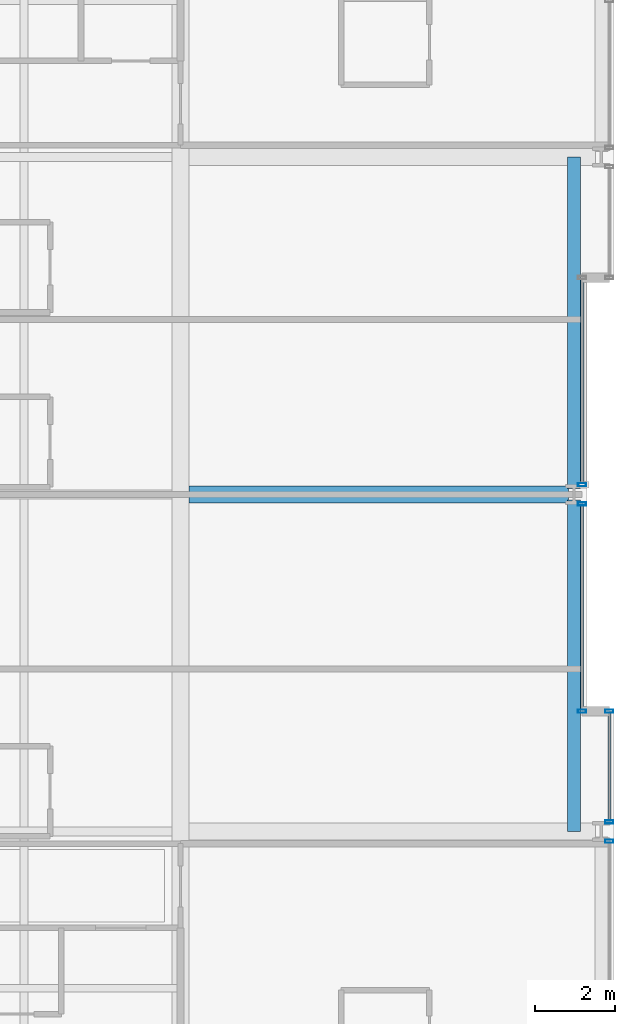
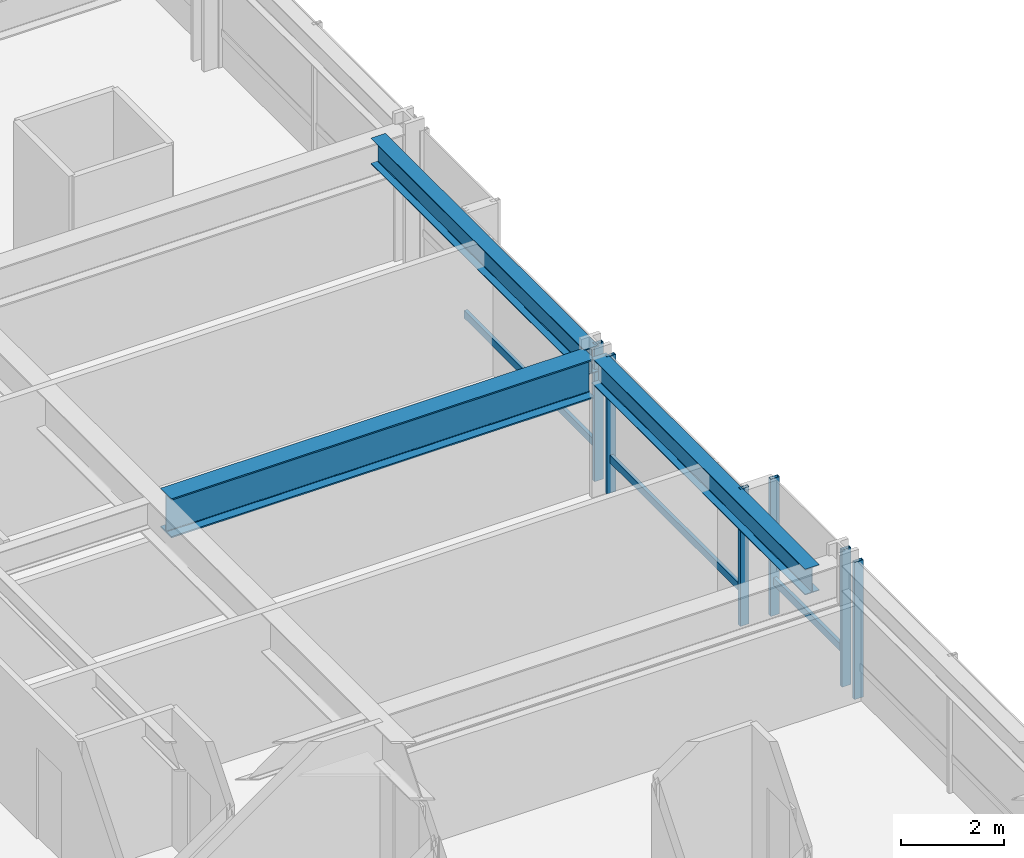
# One storey, part 16 of 39: 9 members, 3 beams, 4 elements without a shape of their own.
"""IFC4 building model written with IfcOpenShell, lengths in metres."""

from ifc_helpers import new_model, si_unit, direction, frame, origin, origin_2d, place, context, subcontext, project, spatial, hollow_rectangle, i_section, extrude, material, layer, layer_set, material_profile, profile_set, type_object, element, aggregate, save


model = new_model("IFC4")

# Units and contexts
model_context = context("Model", 3, precision=1e-05, world=origin(), true_north=direction((0.0, 1.0)))
body_context = subcontext(model_context, "Body", "Model", "MODEL_VIEW")
ifc_project = project(units=[si_unit("LENGTHUNIT", "METRE"), si_unit("AREAUNIT", "SQUARE_METRE"), si_unit("VOLUMEUNIT", "CUBIC_METRE"), si_unit("PLANEANGLEUNIT", "RADIAN"), si_unit("MASSUNIT", "GRAM", prefix="KILO")], contexts=[model_context])

# Site, building, storey
site_placement = place(None, origin())
site = spatial("IfcSite", under=ifc_project, at=site_placement, CompositionType="ELEMENT")
building_placement = place(site_placement, origin())
building = spatial("IfcBuilding", under=site, at=building_placement, Name="Drelvath Grand Hotel", CompositionType="ELEMENT")
storey_placement = place(building_placement, frame((0.0, 0.0, 36.699951171875)))
storey = spatial("IfcBuildingStorey", under=building, at=storey_placement, Name="L07", CompositionType="ELEMENT", Elevation=36.699951171875)

# Curtain wall, member
ifc_material_1 = material(Name="Warm Bronze Anodised Aluminium Frame", Category="aluminium")
ifc_layer = layer(ifc_material_1, 0.199951171875)
ifc_layer_set = layer_set([ifc_layer], Name="Warm Bronze Anodised Aluminium Frame")
curtain_wall_type = type_object("IfcCurtainWallType", Name="Stick Curtain Wall CW-02 Warm Bronze Low-Rise", PredefinedType="NOTDEFINED", material=ifc_layer_set)
curtain_wall_1_placement = place(storey_placement, origin())
curtain_wall_1 = element("IfcCurtainWall", 1, at=curtain_wall_1_placement, inside=storey, type_object=curtain_wall_type, Name="L07 CW-02 Curtain Wall CW02-L07-EM1", PredefinedType="NOTDEFINED")
ifc_material_profile_1 = material_profile(ifc_material_1, hollow_rectangle(XDim=0.074951171875, YDim=0.179931640625, WallThickness=0.0048828125, at=origin_2d()), Name="HSS180X75X5")
ifc_profile_set_1 = profile_set([ifc_material_profile_1], Name="Warm Bronze Anodised Aluminium Frame")
member_type_1 = type_object("IfcMemberType", Name="Curtain Wall Horizontal Transom CW-02 HSS180X75X5", PredefinedType="USERDEFINED", material=ifc_profile_set_1)
member_1_placement = place(storey_placement, frame((26.199951171875, 26.718994140625, 0.81005859375), z_axis=(0.0, -1.0, 0.0), x_axis=(1.0, 0.0, 0.0)))
member_1 = element("IfcMember", 2, at=member_1_placement, type_object=member_type_1, Name="CW02-L07-EM1 Sill Transom", ObjectType="TRANSOM", PredefinedType="USERDEFINED", context=body_context, shape_type="SweptSolid", body=[
    extrude(hollow_rectangle(XDim=0.074951171875, YDim=0.179931640625, WallThickness=0.0048828125, at=origin_2d()), origin(), (0.0, 0.0, 1.0), 5.0791015625),
])

curtain_wall_2_placement = place(storey_placement, origin())
curtain_wall_2 = element("IfcCurtainWall", 3, at=curtain_wall_2_placement, inside=storey, type_object=curtain_wall_type, Name="L07 CW-02 Curtain Wall CW02-L07-EM2", PredefinedType="NOTDEFINED")
member_2_placement = place(storey_placement, frame((26.199951171875, 32.360107421875, 0.81005859375), z_axis=(0.0, -1.0, 0.0), x_axis=(1.0, 0.0, 0.0)))
member_2 = element("IfcMember", 4, at=member_2_placement, type_object=member_type_1, Name="CW02-L07-EM2 Sill Transom", ObjectType="TRANSOM", PredefinedType="USERDEFINED", context=body_context, shape_type="SweptSolid", body=[
    extrude(hollow_rectangle(XDim=0.074951171875, YDim=0.179931640625, WallThickness=0.0048828125, at=origin_2d()), origin(), (0.0, 0.0, 1.0), 5.0791015625),
])

curtain_wall_3_placement = place(storey_placement, origin())
curtain_wall_3 = element("IfcCurtainWall", 5, at=curtain_wall_3_placement, inside=storey, type_object=curtain_wall_type, Name="L07 CW-02 Curtain Wall CW02-L07-ES3", PredefinedType="NOTDEFINED")
member_3_placement = place(storey_placement, frame((26.8798828125, 21.56005859375, 0.81005859375), z_axis=(0.0, -1.0, 0.0), x_axis=(1.0, 0.0, 0.0)))
member_3 = element("IfcMember", 6, at=member_3_placement, type_object=member_type_1, Name="CW02-L07-ES3 Sill Transom", ObjectType="TRANSOM", PredefinedType="USERDEFINED", context=body_context, shape_type="SweptSolid", body=[
    extrude(hollow_rectangle(XDim=0.074951171875, YDim=0.179931640625, WallThickness=0.0048828125, at=origin_2d()), origin(), (0.0, 0.0, 1.0), 2.67919921875),
])

# Member
ifc_material_profile_2 = material_profile(ifc_material_1, hollow_rectangle(XDim=0.080078125, YDim=0.199951171875, WallThickness=0.0048828125, at=origin_2d()), Name="HSS200X80X5")
ifc_profile_set_2 = profile_set([ifc_material_profile_2], Name="Warm Bronze Anodised Aluminium Frame")
member_type_2 = type_object("IfcMemberType", Name="Curtain Wall Vertical Mullion CW-02 HSS200X80X5", PredefinedType="MULLION", material=ifc_profile_set_2)
member_4_placement = place(storey_placement, frame((26.199951171875, 26.759033203125, 0.0), z_axis=(0.0, 0.0, 1.0), x_axis=(0.0, 1.0, 0.0)))
member_4 = element("IfcMember", 7, at=member_4_placement, type_object=member_type_2, Name="CW02-L07-EM1 Mullion 1", PredefinedType="MULLION", context=body_context, shape_type="SweptSolid", body=[
    extrude(hollow_rectangle(XDim=0.080078125, YDim=0.199951171875, WallThickness=0.0048828125, at=origin_2d()), origin(), (0.0, 0.0, 1.0), 3.239990234375),
])

member_5_placement = place(storey_placement, frame((26.199951171875, 21.60009765625, 0.0), z_axis=(0.0, 0.0, 1.0), x_axis=(0.0, 1.0, 0.0)))
member_5 = element("IfcMember", 8, at=member_5_placement, type_object=member_type_2, Name="CW02-L07-EM1 Mullion 2", PredefinedType="MULLION", context=body_context, shape_type="SweptSolid", body=[
    extrude(hollow_rectangle(XDim=0.080078125, YDim=0.199951171875, WallThickness=0.0048828125, at=origin_2d()), origin(), (0.0, 0.0, 1.0), 3.239990234375),
])

aggregate(curtain_wall_1, [member_4, member_5, member_1])

member_6_placement = place(storey_placement, frame((26.199951171875, 27.240966796875, 0.0), z_axis=(0.0, 0.0, 1.0), x_axis=(0.0, 1.0, 0.0)))
member_6 = element("IfcMember", 9, at=member_6_placement, type_object=member_type_2, Name="CW02-L07-EM2 Mullion 2", PredefinedType="MULLION", context=body_context, shape_type="SweptSolid", body=[
    extrude(hollow_rectangle(XDim=0.080078125, YDim=0.199951171875, WallThickness=0.0048828125, at=origin_2d()), origin(), (0.0, 0.0, 1.0), 3.239990234375),
])

aggregate(curtain_wall_2, [member_6, member_2])

# Curtain wall, member
curtain_wall_4_placement = place(storey_placement, origin())
curtain_wall_4 = element("IfcCurtainWall", 10, at=curtain_wall_4_placement, inside=storey, type_object=curtain_wall_type, Name="L07 CW-02 Curtain Wall CW02-L07-ES2", PredefinedType="NOTDEFINED")
member_7_placement = place(storey_placement, frame((26.8798828125, 18.359130859375, 0.0), z_axis=(0.0, 0.0, 1.0), x_axis=(0.0, 1.0, 0.0)))
member_7 = element("IfcMember", 11, at=member_7_placement, type_object=member_type_2, Name="CW02-L07-ES2 Mullion 1", PredefinedType="MULLION", context=body_context, shape_type="SweptSolid", body=[
    extrude(hollow_rectangle(XDim=0.080078125, YDim=0.199951171875, WallThickness=0.0048828125, at=origin_2d()), origin(), (0.0, 0.0, 1.0), 3.239990234375),
])
aggregate(curtain_wall_4, [member_7])

# Member
member_8_placement = place(storey_placement, frame((26.8798828125, 21.60009765625, 0.0), z_axis=(0.0, 0.0, 1.0), x_axis=(0.0, 1.0, 0.0)))
member_8 = element("IfcMember", 12, at=member_8_placement, type_object=member_type_2, Name="CW02-L07-ES3 Mullion 1", PredefinedType="MULLION", context=body_context, shape_type="SweptSolid", body=[
    extrude(hollow_rectangle(XDim=0.080078125, YDim=0.199951171875, WallThickness=0.0048828125, at=origin_2d()), origin(), (0.0, 0.0, 1.0), 3.239990234375),
])

member_9_placement = place(storey_placement, frame((26.8798828125, 18.8408203125, 0.0), z_axis=(0.0, 0.0, 1.0), x_axis=(0.0, 1.0, 0.0)))
member_9 = element("IfcMember", 13, at=member_9_placement, type_object=member_type_2, Name="CW02-L07-ES3 Mullion 2", PredefinedType="MULLION", context=body_context, shape_type="SweptSolid", body=[
    extrude(hollow_rectangle(XDim=0.080078125, YDim=0.199951171875, WallThickness=0.0048828125, at=origin_2d()), origin(), (0.0, 0.0, 1.0), 3.239990234375),
])

aggregate(curtain_wall_3, [member_8, member_9, member_3])

# Beams
ifc_material_2 = material(Name="Steel ASTM A992 Gr 50", Category="steel")
ifc_material_profile_3 = material_profile(ifc_material_2, i_section(OverallWidth=0.323974609375, OverallDepth=0.611083984375, WebThickness=0.0126953125, FlangeThickness=0.01904296875, FilletRadius=0.02197265625, at=origin_2d()), Name="W24X104")
ifc_profile_set_3 = profile_set([ifc_material_profile_3], Name="Steel ASTM A992 Gr 50")
beam_type_1 = type_object("IfcBeamType", Name="Perimeter Spandrel Beam W24X104", PredefinedType="SPANDREL", material=ifc_profile_set_3)
for number, where, z_axis, x_axis, name in (
    (14, (26.0, 18.60009765625, 2.9345703125), (0.0, 1.0, 0.0), (-1.0, 0.0, 0.0), "L07 Spandrel East Mid S"),
    (15, (26.0, 27.139892578125, 2.9345703125), (0.0, 1.0, 0.0), (-1.0, 0.0, 0.0), "L07 Spandrel East Mid N"),
):
    element("IfcBeam", number, at=place(storey_placement, frame(where, z_axis=z_axis, x_axis=x_axis)), inside=storey, type_object=beam_type_1, Name=name, PredefinedType="SPANDREL", context=body_context, shape_type="SweptSolid", body=[
        extrude(i_section(OverallWidth=0.323974609375, OverallDepth=0.611083984375, WebThickness=0.0126953125, FlangeThickness=0.01904296875, FilletRadius=0.02197265625, at=origin_2d()), origin(), (0.0, 0.0, 1.0), 8.260009765625),
    ])
ifc_material_profile_4 = material_profile(ifc_material_2, i_section(OverallWidth=0.418212890625, OverallDepth=0.926513671875, WebThickness=0.019287109375, FlangeThickness=0.031982421875, FilletRadius=0.028076171875, at=origin_2d()), Name="W36X231")
ifc_profile_set_4 = profile_set([ifc_material_profile_4], Name="Steel ASTM A992 Gr 50")
beam_type_2 = type_object("IfcBeamType", Name="Primary Floor Girder W36X231", PredefinedType="BEAM", material=ifc_profile_set_4)
beam_placement = place(storey_placement, frame((16.4091796875, 27.0, 2.77685546875), z_axis=(1.0, 0.0, 0.0), x_axis=(0.0, 1.0, 0.0)))
element("IfcBeam", 16, at=beam_placement, inside=storey, type_object=beam_type_2, Name="L07 East Wing Girder E", PredefinedType="BEAM", context=body_context, shape_type="SweptSolid", body=[
    extrude(i_section(OverallWidth=0.418212890625, OverallDepth=0.926513671875, WebThickness=0.019287109375, FlangeThickness=0.031982421875, FilletRadius=0.028076171875, at=origin_2d()), origin(), (0.0, 0.0, 1.0), 9.450927734375),
])

save(model, "model.ifc")
